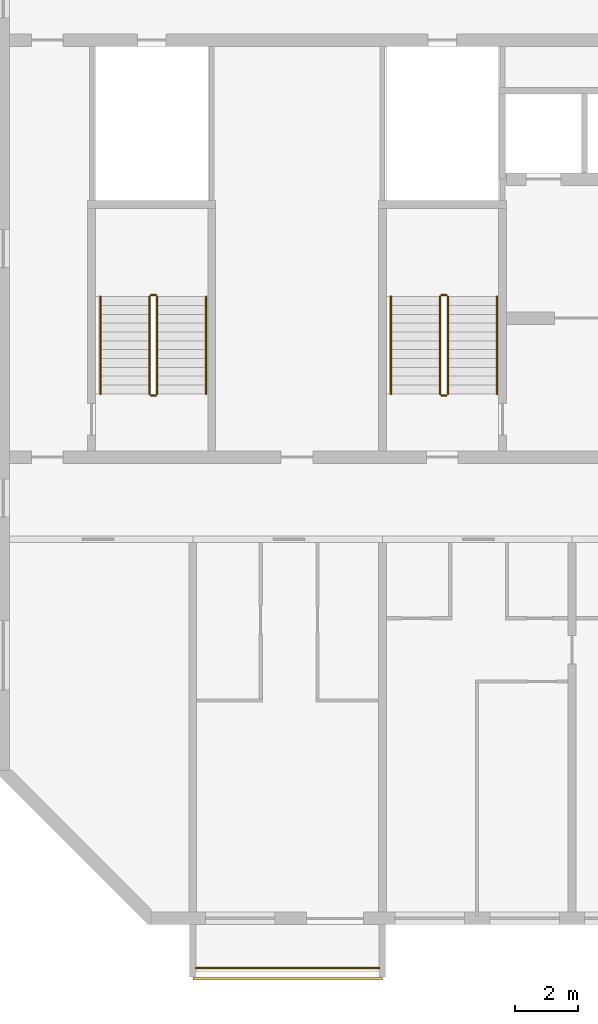
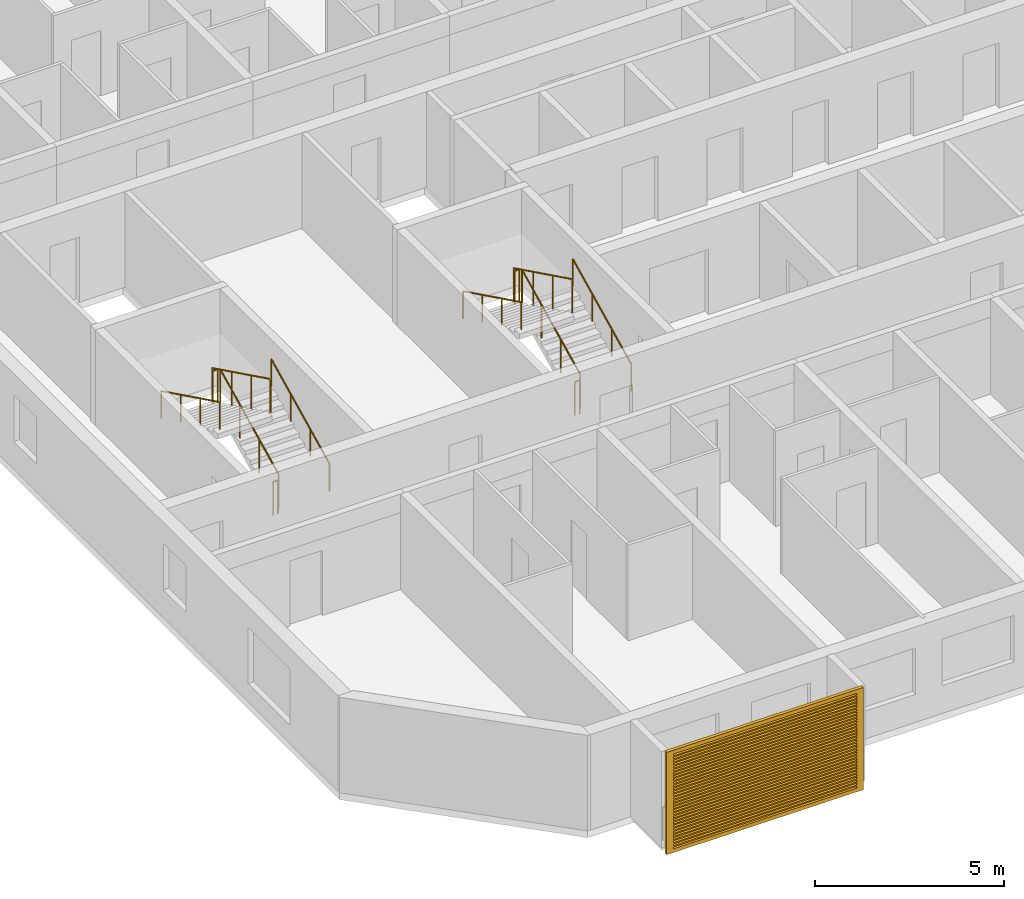
# One storey, part 13 of 28: 13 railings, 1 shading device.
"""IFC4 building model written with IfcOpenShell, lengths in metres."""

import ifcopenshell
import ifcopenshell.guid

model = None  # the IFC model being written
_history = None  # IfcOwnerHistory: only IFC2X3 demands one
_inside = {}  # id of a spatial element -> (the spatial element, [elements in it])
_under = {}  # id of a project, library or spatial element -> (it, [spatial elements below it])
_declared = {}  # id of a project -> (the project, [libraries it declares])
_typed = {}  # id of a type object -> (the type object, [elements of that type])
_made_of = {}  # id of a material, layer set ... -> (it, [elements and type objects made of it])


def new_model(schema):
    """Start an empty IFC model of exactly this schema.

    Asked for "IFC4X3", IfcOpenShell would pick the latest addendum, in which some entities
    have other attributes; the version numbers below select the first issue.
    IFC2X3 requires an IfcOwnerHistory on every rooted entity: one is made here for all.
    """
    global model, _history
    if schema == "IFC4X3":
        model = ifcopenshell.file(schema_version=(4, 3, 0, 0))
    else:
        model = ifcopenshell.file(schema=schema)
    _inside.clear()
    _under.clear()
    _declared.clear()
    _typed.clear()
    _made_of.clear()
    _history = None
    if model.schema == "IFC2X3":
        org = make("IfcOrganization", Name="unknown")
        user = make(
            "IfcPersonAndOrganization",
            ThePerson=make("IfcPerson", FamilyName="unknown"),
            TheOrganization=org,
        )
        app = make(
            "IfcApplication",
            ApplicationDeveloper=org,
            Version="unknown",
            ApplicationFullName="unknown",
            ApplicationIdentifier="unknown",
        )
        _history = make(
            "IfcOwnerHistory",
            OwningUser=user,
            OwningApplication=app,
            ChangeAction="ADDED",
            CreationDate=0,
        )
    return model


def make(cls, **values):
    """One entity of the class cls with the attributes given. An attribute that is None is left unset."""
    return model.create_entity(
        cls, **{name: value for name, value in values.items() if value is not None}
    )


def rooted(cls, **values):
    """An entity with a GlobalId (a new one), such as an element, a storey or a relation."""
    return make(cls, GlobalId=ifcopenshell.guid.new(), OwnerHistory=_history, **values)


def si_unit(unit_type, name, prefix=None):
    """IfcSIUnit, for example si_unit("LENGTHUNIT", "METRE", prefix="MILLI")."""
    return make("IfcSIUnit", UnitType=unit_type, Prefix=prefix, Name=name)


def assignment(units):
    """IfcUnitAssignment: the units of a project."""
    return None if units is None else make("IfcUnitAssignment", Units=units)


def point(xyz):
    """IfcCartesianPoint."""
    return None if xyz is None else make("IfcCartesianPoint", Coordinates=xyz)


def direction(xyz):
    """IfcDirection."""
    return None if xyz is None else make("IfcDirection", DirectionRatios=xyz)


def frame(location, z_axis=None, x_axis=None):
    """IfcAxis2Placement3D, a coordinate frame: its origin and axes. An axis left out is left unset."""
    return make(
        "IfcAxis2Placement3D",
        Location=point(location),
        Axis=direction(z_axis),
        RefDirection=direction(x_axis),
    )


def frame_2d(location, x_axis=None):
    """IfcAxis2Placement2D, a coordinate frame in the plane: its origin and x axis."""
    return make(
        "IfcAxis2Placement2D", Location=point(location), RefDirection=direction(x_axis)
    )


def origin():
    """The frame at (0, 0, 0) with its axes left unset."""
    return frame((0.0, 0.0, 0.0))


def origin_2d():
    """The frame at (0, 0) in the plane with its x axis left unset."""
    return frame_2d((0.0, 0.0))


def place(relative_to, where):
    """IfcLocalPlacement: puts the frame where relative to a parent placement (None: the world)."""
    return make(
        "IfcLocalPlacement", PlacementRelTo=relative_to, RelativePlacement=where
    )


def context(
    kind, dimensions, precision=None, world=None, true_north=None, identifier=None
):
    """IfcGeometricRepresentationContext, for example the 3D "Model" context."""
    return make(
        "IfcGeometricRepresentationContext",
        ContextIdentifier=identifier,
        ContextType=kind,
        CoordinateSpaceDimension=dimensions,
        Precision=precision,
        WorldCoordinateSystem=world,
        TrueNorth=true_north,
    )


def subcontext(parent, identifier, kind, view, scale=None):
    """IfcGeometricRepresentationSubContext, for example "Body" below "Model"."""
    return make(
        "IfcGeometricRepresentationSubContext",
        ContextIdentifier=identifier,
        ContextType=kind,
        ParentContext=parent,
        TargetScale=scale,
        TargetView=view,
    )


def project(units=None, contexts=None):
    """IfcProject with its units and contexts."""
    return rooted(
        "IfcProject",
        Name="project",
        RepresentationContexts=contexts,
        UnitsInContext=assignment(units),
    )


def spatial(cls, under=None, at=None, **own):
    """A site, building, storey or space (cls), placed at a placement, below another one or the project."""
    s = rooted(cls, ObjectPlacement=at, **own)
    if under is not None:
        _under.setdefault(under.id(), (under, []))[1].append(s)
    return s


def polyline(points):
    """IfcPolyline through the points."""
    return make("IfcPolyline", Points=[point(p) for p in points])


def profile(cls, at=None, kind="AREA", **sizes):
    """A parametric profile (cls). Its sizes go by their IFC names, for example OverallWidth=200.0."""
    return make(cls, ProfileType=kind, Position=at, **sizes)


def circle(**sizes):
    """IfcCircleProfileDef."""
    return profile("IfcCircleProfileDef", **sizes)


def outline(outer, holes=None, kind="AREA"):
    """IfcArbitraryClosedProfileDef: a profile drawn as a closed curve; with holes, ...WithVoids."""
    if holes is None:
        return make("IfcArbitraryClosedProfileDef", ProfileType=kind, OuterCurve=outer)
    return make(
        "IfcArbitraryProfileDefWithVoids",
        ProfileType=kind,
        OuterCurve=outer,
        InnerCurves=holes,
    )


def extrude(swept, where, along, depth):
    """IfcExtrudedAreaSolid: the profile swept, set in the frame where, extruded along a direction by depth."""
    return make(
        "IfcExtrudedAreaSolid",
        SweptArea=swept,
        Position=where,
        ExtrudedDirection=direction(along),
        Depth=depth,
    )


def shape(context_of_items, identifier, shape_type, items):
    """IfcShapeRepresentation: the items that make up one representation, for example the "Body"."""
    return make(
        "IfcShapeRepresentation",
        ContextOfItems=context_of_items,
        RepresentationIdentifier=identifier,
        RepresentationType=shape_type,
        Items=items,
    )


def source(mapping_origin, context_of_items, identifier, shape_type, items):
    """IfcRepresentationMap: a shape defined once, which mapped items show again and again."""
    return make(
        "IfcRepresentationMap",
        MappingOrigin=mapping_origin,
        MappedRepresentation=shape(context_of_items, identifier, shape_type, items),
    )


def transform(
    local_origin,
    x_axis=None,
    y_axis=None,
    z_axis=None,
    scale=None,
    scale2=None,
    scale3=None,
    uniform=True,
):
    """IfcCartesianTransformationOperator3D, or its non-uniform kind. x_axis, y_axis, z_axis: its Axis1, 2, 3."""
    if uniform:
        return make(
            "IfcCartesianTransformationOperator3D",
            Axis1=direction(x_axis),
            Axis2=direction(y_axis),
            LocalOrigin=point(local_origin),
            Scale=scale,
            Axis3=direction(z_axis),
        )
    return make(
        "IfcCartesianTransformationOperator3DnonUniform",
        Axis1=direction(x_axis),
        Axis2=direction(y_axis),
        LocalOrigin=point(local_origin),
        Scale=scale,
        Axis3=direction(z_axis),
        Scale2=scale2,
        Scale3=scale3,
    )


def mapped(mapping_source, mapping_target):
    """IfcMappedItem: shows the shape of a source again, moved by a transform."""
    return make(
        "IfcMappedItem", MappingSource=mapping_source, MappingTarget=mapping_target
    )


def material(Name=None, Category=None):
    """IfcMaterial."""
    return make("IfcMaterial", Name=Name, Category=Category)


def material_profile(
    of_material, cross_section, Name=None, Category=None, Priority=None
):
    """IfcMaterialProfile: a cross section and its material."""
    return make(
        "IfcMaterialProfile",
        Name=Name,
        Material=of_material,
        Profile=cross_section,
        Priority=Priority,
        Category=Category,
    )


def profile_set(profiles, Name=None, composite=None):
    """IfcMaterialProfileSet."""
    return make(
        "IfcMaterialProfileSet",
        Name=Name,
        MaterialProfiles=profiles,
        CompositeProfile=composite,
    )


def made_of(thing, what):
    """Note that an element or type object is made of a material, layer set ...; save() writes the relation."""
    if what is not None:
        _made_of.setdefault(what.id(), (what, []))[1].append(thing)
    return thing


def type_object(cls, material=None, **own):
    """A type object (cls), such as IfcWallType, which elements share."""
    return made_of(rooted(cls, **own), material)


def element(
    cls,
    number,
    at=None,
    inside=None,
    cuts=None,
    type_object=None,
    material=None,
    context=None,
    identifier="Body",
    shape_type=None,
    held_by="IfcProductDefinitionShape",
    body=None,
    shapes=None,
    **own,
):
    """One element of the class cls, such as IfcWall. Its Tag is "e" and its number.

    at: its placement. inside: the storey or other place that contains it. cuts: it is an
    opening in that element (IfcRelVoidsElement). A single representation is given by context,
    identifier, shape_type and body (its items); several are given by shapes. held_by: the class
    of the entity that holds the representations. save() writes the other relations.
    """
    e = rooted(cls, Tag="e%d" % number, ObjectPlacement=at, **own)
    if body is not None:
        shapes = [shape(context, identifier, shape_type, body)]
    if shapes is not None:
        e.Representation = make(held_by, Representations=shapes)
    if inside is not None:
        _inside.setdefault(inside.id(), (inside, []))[1].append(e)
    if cuts is not None:
        rooted(
            "IfcRelVoidsElement", RelatingBuildingElement=cuts, RelatedOpeningElement=e
        )
    if type_object is not None:
        _typed.setdefault(type_object.id(), (type_object, []))[1].append(e)
    return made_of(e, material)


def aggregate(whole, parts):
    """IfcRelAggregates: a whole, such as a stair, and the parts it consists of."""
    return rooted("IfcRelAggregates", RelatingObject=whole, RelatedObjects=parts)


def save(model, path):
    """Write the relations noted so far, then the file.

    IfcRelAggregates (storeys below a building ...), IfcRelContainedInSpatialStructure (elements
    in a storey), IfcRelDefinesByType, IfcRelAssociatesMaterial and IfcRelDeclares: one each for
    every whole, place, type object, material and project.
    """
    for whole, parts in _under.values():
        aggregate(whole, parts)
    for where, things in _inside.values():
        rooted(
            "IfcRelContainedInSpatialStructure",
            RelatedElements=things,
            RelatingStructure=where,
        )
    for kind, things in _typed.values():
        rooted("IfcRelDefinesByType", RelatedObjects=things, RelatingType=kind)
    for what, things in _made_of.values():
        rooted("IfcRelAssociatesMaterial", RelatedObjects=things, RelatingMaterial=what)
    for by, libraries in _declared.values():
        rooted("IfcRelDeclares", RelatingContext=by, RelatedDefinitions=libraries)
    model.write(path)


model = new_model("IFC4")

# Units and contexts
model_context = context("Model", 3, precision=1e-05, world=origin(), true_north=direction((0.0, 1.0)))
body_context = subcontext(model_context, "Body", "Model", "MODEL_VIEW")
ifc_project = project(units=[si_unit("LENGTHUNIT", "METRE"), si_unit("AREAUNIT", "SQUARE_METRE"), si_unit("VOLUMEUNIT", "CUBIC_METRE"), si_unit("PLANEANGLEUNIT", "RADIAN"), si_unit("MASSUNIT", "GRAM", prefix="KILO")], contexts=[model_context])

# Site, building, storey
site_placement = place(None, origin())
site = spatial("IfcSite", under=ifc_project, at=site_placement, CompositionType="ELEMENT")
building_placement = place(site_placement, origin())
building = spatial("IfcBuilding", under=site, at=building_placement, Name="Poui Terraces", CompositionType="ELEMENT")
storey_placement = place(building_placement, frame((0.0, 0.0, 188.39990234375)))
storey = spatial("IfcBuildingStorey", under=building, at=storey_placement, Name="L52", CompositionType="ELEMENT", Elevation=188.39990234375)

# Railings
ifc_material_1 = material(Name="Painted steel fretwork", Category="steel")
railing_type_1 = type_object("IfcRailingType", Name="BALCONY GUARD 1100", PredefinedType="GUARDRAIL", material=ifc_material_1)
railing_1_placement = place(storey_placement, frame((24.10009765625, -1.570068359375, 0.0)))
element("IfcRailing", 1, at=railing_1_placement, inside=storey, type_object=railing_type_1, Name="BALCONY GUARD", PredefinedType="GUARDRAIL", context=body_context, shape_type="SweptSolid", body=[
    extrude(circle(Radius=0.02392578125, at=origin_2d()), frame((0.0, 0.0, 1.076171875), z_axis=(1.0, 0.0, 0.0), x_axis=(0.0, 1.0, 0.0)), (0.0, 0.0, 1.0), 5.7998046875),
    extrude(circle(Radius=0.02099609375, at=origin_2d()), origin(), (0.0, 0.0, 1.0), 1.052001953125),
    extrude(circle(Radius=0.02099609375, at=origin_2d()), frame((0.966552734375, 0.0, 0.0)), (0.0, 0.0, 1.0), 1.052001953125),
    extrude(circle(Radius=0.02099609375, at=origin_2d()), frame((1.933349609375, 0.0, 0.0)), (0.0, 0.0, 1.0), 1.052001953125),
    extrude(circle(Radius=0.02099609375, at=origin_2d()), frame((2.89990234375, 0.0, 0.0)), (0.0, 0.0, 1.0), 1.052001953125),
    extrude(circle(Radius=0.02099609375, at=origin_2d()), frame((3.866455078125, 0.0, 0.0)), (0.0, 0.0, 1.0), 1.052001953125),
    extrude(circle(Radius=0.02099609375, at=origin_2d()), frame((4.833251953125, 0.0, 0.0)), (0.0, 0.0, 1.0), 1.052001953125),
    extrude(circle(Radius=0.02099609375, at=origin_2d()), frame((5.7998046875, 0.0, 0.0)), (0.0, 0.0, 1.0), 1.052001953125),
])
ifc_material_2 = material(Name="Galvanised steel balustrade", Category="steel")
railing_type_2 = type_object("IfcRailingType", Name="STAIR GUARD 1100", PredefinedType="GUARDRAIL", material=ifc_material_2)
railing_2_placement = place(storey_placement, frame((32.074951171875, 16.60009765625, 0.1376953125)))
element("IfcRailing", 2, at=railing_2_placement, inside=storey, type_object=railing_type_2, Name="L52 ST-CW stair guard 1", PredefinedType="GUARDRAIL", context=body_context, shape_type="SweptSolid", body=[
    extrude(circle(Radius=0.02392578125, at=origin_2d()), frame((0.0, 0.0, 1.076171875), z_axis=(0.0, 0.897606190399, 0.440798283751), x_axis=(-1.0, 0.0, 0.0)), (0.0, 0.0, 1.0), 3.43115234375),
    extrude(circle(Radius=0.02099609375, at=origin_2d()), origin(), (0.0, 0.0, 1.0), 1.052001953125),
    extrude(circle(Radius=0.02099609375, at=origin_2d()), frame((0.0, 1.026611328125, 0.504150390625)), (0.0, 0.0, 1.0), 1.052001953125),
    extrude(circle(Radius=0.02099609375, at=origin_2d()), frame((0.0, 2.05322265625, 1.00830078125)), (0.0, 0.0, 1.0), 1.052001953125),
    extrude(circle(Radius=0.02099609375, at=origin_2d()), frame((0.0, 3.079833984375, 1.512451171875)), (0.0, 0.0, 1.0), 1.052001953125),
])
railing_3_placement = place(storey_placement, frame((32.02490234375, 19.72998046875, 1.650146484375)))
element("IfcRailing", 3, at=railing_3_placement, inside=storey, type_object=railing_type_2, Name="L52 ST-CW stair guard 2", PredefinedType="GUARDRAIL", context=body_context, shape_type="SweptSolid", body=[
    extrude(circle(Radius=0.02392578125, at=origin_2d()), frame((0.0, 0.0, 1.076171875), z_axis=(-1.0, 0.0, 0.0), x_axis=(0.0, -1.0, 0.0)), (0.0, 0.0, 1.0), 0.14990234375),
    extrude(circle(Radius=0.02099609375, at=origin_2d()), origin(), (0.0, 0.0, 1.0), 1.052001953125),
    extrude(circle(Radius=0.02099609375, at=origin_2d()), frame((-0.14990234375, 0.0, 0.0)), (0.0, 0.0, 1.0), 1.052001953125),
])
railing_4_placement = place(storey_placement, frame((31.824951171875, 19.679931640625, 1.78759765625)))
element("IfcRailing", 4, at=railing_4_placement, inside=storey, type_object=railing_type_2, Name="L52 ST-CW stair guard 3", PredefinedType="GUARDRAIL", context=body_context, shape_type="SweptSolid", body=[
    extrude(circle(Radius=0.02392578125, at=origin_2d()), frame((0.0, 0.0, 1.076171875), z_axis=(0.0, -0.897606190399, 0.440798283751), x_axis=(1.0, 0.0, 0.0)), (0.0, 0.0, 1.0), 3.43115234375),
    extrude(circle(Radius=0.02099609375, at=origin_2d()), origin(), (0.0, 0.0, 1.0), 1.052001953125),
    extrude(circle(Radius=0.02099609375, at=origin_2d()), frame((0.0, -1.026611328125, 0.504150390625)), (0.0, 0.0, 1.0), 1.052001953125),
    extrude(circle(Radius=0.02099609375, at=origin_2d()), frame((0.0, -2.05322265625, 1.00830078125)), (0.0, 0.0, 1.0), 1.052001953125),
    extrude(circle(Radius=0.02099609375, at=origin_2d()), frame((0.0, -3.079833984375, 1.512451171875)), (0.0, 0.0, 1.0), 1.052001953125),
])
railing_5_placement = place(storey_placement, frame((32.02490234375, 16.550048828125, 0.0)))
element("IfcRailing", 5, at=railing_5_placement, inside=storey, type_object=railing_type_2, Name="L52 ST-CW stair guard 4", PredefinedType="GUARDRAIL", context=body_context, shape_type="SweptSolid", body=[
    extrude(circle(Radius=0.02392578125, at=origin_2d()), frame((0.0, 0.0, 1.076171875), z_axis=(-1.0, 0.0, 0.0), x_axis=(0.0, -1.0, 0.0)), (0.0, 0.0, 1.0), 0.14990234375),
    extrude(circle(Radius=0.02099609375, at=origin_2d()), origin(), (0.0, 0.0, 1.0), 1.052001953125),
    extrude(circle(Radius=0.02099609375, at=origin_2d()), frame((-0.14990234375, 0.0, 0.0)), (0.0, 0.0, 1.0), 1.052001953125),
])
railing_6_placement = place(storey_placement, frame((22.875, 16.60009765625, 0.1376953125)))
element("IfcRailing", 6, at=railing_6_placement, inside=storey, type_object=railing_type_2, Name="L52 ST-W stair guard 1", PredefinedType="GUARDRAIL", context=body_context, shape_type="SweptSolid", body=[
    extrude(circle(Radius=0.02392578125, at=origin_2d()), frame((0.0, 0.0, 1.076171875), z_axis=(0.0, 0.897606190399, 0.440798283751), x_axis=(-1.0, 0.0, 0.0)), (0.0, 0.0, 1.0), 3.43115234375),
    extrude(circle(Radius=0.02099609375, at=origin_2d()), origin(), (0.0, 0.0, 1.0), 1.052001953125),
    extrude(circle(Radius=0.02099609375, at=origin_2d()), frame((0.0, 1.026611328125, 0.504150390625)), (0.0, 0.0, 1.0), 1.052001953125),
    extrude(circle(Radius=0.02099609375, at=origin_2d()), frame((0.0, 2.05322265625, 1.00830078125)), (0.0, 0.0, 1.0), 1.052001953125),
    extrude(circle(Radius=0.02099609375, at=origin_2d()), frame((0.0, 3.079833984375, 1.512451171875)), (0.0, 0.0, 1.0), 1.052001953125),
])
railing_7_placement = place(storey_placement, frame((22.824951171875, 19.72998046875, 1.650146484375)))
element("IfcRailing", 7, at=railing_7_placement, inside=storey, type_object=railing_type_2, Name="L52 ST-W stair guard 2", PredefinedType="GUARDRAIL", context=body_context, shape_type="SweptSolid", body=[
    extrude(circle(Radius=0.02392578125, at=origin_2d()), frame((0.0, 0.0, 1.076171875), z_axis=(-1.0, 0.0, 0.0), x_axis=(0.0, -1.0, 0.0)), (0.0, 0.0, 1.0), 0.14990234375),
    extrude(circle(Radius=0.02099609375, at=origin_2d()), origin(), (0.0, 0.0, 1.0), 1.052001953125),
    extrude(circle(Radius=0.02099609375, at=origin_2d()), frame((-0.14990234375, 0.0, 0.0)), (0.0, 0.0, 1.0), 1.052001953125),
])
railing_8_placement = place(storey_placement, frame((22.625, 19.679931640625, 1.78759765625)))
element("IfcRailing", 8, at=railing_8_placement, inside=storey, type_object=railing_type_2, Name="L52 ST-W stair guard 3", PredefinedType="GUARDRAIL", context=body_context, shape_type="SweptSolid", body=[
    extrude(circle(Radius=0.02392578125, at=origin_2d()), frame((0.0, 0.0, 1.076171875), z_axis=(0.0, -0.897606190399, 0.440798283751), x_axis=(1.0, 0.0, 0.0)), (0.0, 0.0, 1.0), 3.43115234375),
    extrude(circle(Radius=0.02099609375, at=origin_2d()), origin(), (0.0, 0.0, 1.0), 1.052001953125),
    extrude(circle(Radius=0.02099609375, at=origin_2d()), frame((0.0, -1.026611328125, 0.504150390625)), (0.0, 0.0, 1.0), 1.052001953125),
    extrude(circle(Radius=0.02099609375, at=origin_2d()), frame((0.0, -2.05322265625, 1.00830078125)), (0.0, 0.0, 1.0), 1.052001953125),
    extrude(circle(Radius=0.02099609375, at=origin_2d()), frame((0.0, -3.079833984375, 1.512451171875)), (0.0, 0.0, 1.0), 1.052001953125),
])
railing_9_placement = place(storey_placement, frame((22.824951171875, 16.550048828125, 0.0)))
element("IfcRailing", 9, at=railing_9_placement, inside=storey, type_object=railing_type_2, Name="L52 ST-W stair guard 4", PredefinedType="GUARDRAIL", context=body_context, shape_type="SweptSolid", body=[
    extrude(circle(Radius=0.02392578125, at=origin_2d()), frame((0.0, 0.0, 1.076171875), z_axis=(-1.0, 0.0, 0.0), x_axis=(0.0, -1.0, 0.0)), (0.0, 0.0, 1.0), 0.14990234375),
    extrude(circle(Radius=0.02099609375, at=origin_2d()), origin(), (0.0, 0.0, 1.0), 1.052001953125),
    extrude(circle(Radius=0.02099609375, at=origin_2d()), frame((-0.14990234375, 0.0, 0.0)), (0.0, 0.0, 1.0), 1.052001953125),
])
ifc_material_3 = material(Name="Stainless steel handrail", Category="steel")
railing_type_3 = type_object("IfcRailingType", Name="STAIR HANDRAIL 900", PredefinedType="HANDRAIL", material=ifc_material_3)
railing_10_placement = place(storey_placement, frame((33.625, 16.60009765625, 0.1376953125)))
element("IfcRailing", 10, at=railing_10_placement, inside=storey, type_object=railing_type_3, Name="L52 ST-CW stair handrail 1", PredefinedType="HANDRAIL", context=body_context, shape_type="SweptSolid", body=[
    extrude(circle(Radius=0.02392578125, at=origin_2d()), frame((0.0, 0.0, 0.8759765625), z_axis=(0.0, 0.897606190399, 0.440798283751), x_axis=(-1.0, 0.0, 0.0)), (0.0, 0.0, 1.0), 3.43115234375),
    extrude(circle(Radius=0.02099609375, at=origin_2d()), origin(), (0.0, 0.0, 1.0), 0.851806640625),
    extrude(circle(Radius=0.02099609375, at=origin_2d()), frame((0.0, 1.026611328125, 0.504150390625)), (0.0, 0.0, 1.0), 0.851806640625),
    extrude(circle(Radius=0.02099609375, at=origin_2d()), frame((0.0, 2.05322265625, 1.00830078125)), (0.0, 0.0, 1.0), 0.851806640625),
    extrude(circle(Radius=0.02099609375, at=origin_2d()), frame((0.0, 3.079833984375, 1.512451171875)), (0.0, 0.0, 1.0), 0.851806640625),
])
railing_11_placement = place(storey_placement, frame((30.27490234375, 19.679931640625, 1.78759765625)))
element("IfcRailing", 11, at=railing_11_placement, inside=storey, type_object=railing_type_3, Name="L52 ST-CW stair handrail 2", PredefinedType="HANDRAIL", context=body_context, shape_type="SweptSolid", body=[
    extrude(circle(Radius=0.02392578125, at=origin_2d()), frame((0.0, 0.0, 0.8759765625), z_axis=(0.0, -0.897606190399, 0.440798283751), x_axis=(1.0, 0.0, 0.0)), (0.0, 0.0, 1.0), 3.43115234375),
    extrude(circle(Radius=0.02099609375, at=origin_2d()), origin(), (0.0, 0.0, 1.0), 0.851806640625),
    extrude(circle(Radius=0.02099609375, at=origin_2d()), frame((0.0, -1.026611328125, 0.504150390625)), (0.0, 0.0, 1.0), 0.851806640625),
    extrude(circle(Radius=0.02099609375, at=origin_2d()), frame((0.0, -2.05322265625, 1.00830078125)), (0.0, 0.0, 1.0), 0.851806640625),
    extrude(circle(Radius=0.02099609375, at=origin_2d()), frame((0.0, -3.079833984375, 1.512451171875)), (0.0, 0.0, 1.0), 0.851806640625),
])
railing_12_placement = place(storey_placement, frame((24.425048828125, 16.60009765625, 0.1376953125)))
element("IfcRailing", 12, at=railing_12_placement, inside=storey, type_object=railing_type_3, Name="L52 ST-W stair handrail 1", PredefinedType="HANDRAIL", context=body_context, shape_type="SweptSolid", body=[
    extrude(circle(Radius=0.02392578125, at=origin_2d()), frame((0.0, 0.0, 0.8759765625), z_axis=(0.0, 0.897606190399, 0.440798283751), x_axis=(-1.0, 0.0, 0.0)), (0.0, 0.0, 1.0), 3.43115234375),
    extrude(circle(Radius=0.02099609375, at=origin_2d()), origin(), (0.0, 0.0, 1.0), 0.851806640625),
    extrude(circle(Radius=0.02099609375, at=origin_2d()), frame((0.0, 1.026611328125, 0.504150390625)), (0.0, 0.0, 1.0), 0.851806640625),
    extrude(circle(Radius=0.02099609375, at=origin_2d()), frame((0.0, 2.05322265625, 1.00830078125)), (0.0, 0.0, 1.0), 0.851806640625),
    extrude(circle(Radius=0.02099609375, at=origin_2d()), frame((0.0, 3.079833984375, 1.512451171875)), (0.0, 0.0, 1.0), 0.851806640625),
])
railing_13_placement = place(storey_placement, frame((21.074951171875, 19.679931640625, 1.78759765625)))
element("IfcRailing", 13, at=railing_13_placement, inside=storey, type_object=railing_type_3, Name="L52 ST-W stair handrail 2", PredefinedType="HANDRAIL", context=body_context, shape_type="SweptSolid", body=[
    extrude(circle(Radius=0.02392578125, at=origin_2d()), frame((0.0, 0.0, 0.8759765625), z_axis=(0.0, -0.897606190399, 0.440798283751), x_axis=(1.0, 0.0, 0.0)), (0.0, 0.0, 1.0), 3.43115234375),
    extrude(circle(Radius=0.02099609375, at=origin_2d()), origin(), (0.0, 0.0, 1.0), 0.851806640625),
    extrude(circle(Radius=0.02099609375, at=origin_2d()), frame((0.0, -1.026611328125, 0.504150390625)), (0.0, 0.0, 1.0), 0.851806640625),
    extrude(circle(Radius=0.02099609375, at=origin_2d()), frame((0.0, -2.05322265625, 1.00830078125)), (0.0, 0.0, 1.0), 0.851806640625),
    extrude(circle(Radius=0.02099609375, at=origin_2d()), frame((0.0, -3.079833984375, 1.512451171875)), (0.0, 0.0, 1.0), 0.851806640625),
])

# Shading device
ifc_material_4 = material(Name="Aluminium louvre", Category="aluminium")
ifc_material_profile = material_profile(ifc_material_4, outline(polyline([(-3.0, -1.64990234375), (3.0, -1.64990234375), (3.0, 1.64990234375), (-3.0, 1.64990234375), (-3.0, -1.64990234375)]), holes=[polyline([(-2.800048828125, -1.530029296875), (2.800048828125, -1.530029296875), (2.800048828125, -1.469970703125), (-2.800048828125, -1.469970703125), (-2.800048828125, -1.530029296875)]), polyline([(-2.800048828125, -1.429931640625), (2.800048828125, -1.429931640625), (2.800048828125, -1.3701171875), (-2.800048828125, -1.3701171875), (-2.800048828125, -1.429931640625)]), polyline([(-2.800048828125, -1.330078125), (2.800048828125, -1.330078125), (2.800048828125, -1.27001953125), (-2.800048828125, -1.27001953125), (-2.800048828125, -1.330078125)]), polyline([(-2.800048828125, -1.22998046875), (2.800048828125, -1.22998046875), (2.800048828125, -1.169921875), (-2.800048828125, -1.169921875), (-2.800048828125, -1.22998046875)]), polyline([(-2.800048828125, -1.1298828125), (2.800048828125, -1.1298828125), (2.800048828125, -1.070068359375), (-2.800048828125, -1.070068359375), (-2.800048828125, -1.1298828125)]), polyline([(-2.800048828125, -1.030029296875), (2.800048828125, -1.030029296875), (2.800048828125, -0.969970703125), (-2.800048828125, -0.969970703125), (-2.800048828125, -1.030029296875)]), polyline([(-2.800048828125, -0.929931640625), (2.800048828125, -0.929931640625), (2.800048828125, -0.8701171875), (-2.800048828125, -0.8701171875), (-2.800048828125, -0.929931640625)]), polyline([(-2.800048828125, -0.830078125), (2.800048828125, -0.830078125), (2.800048828125, -0.77001953125), (-2.800048828125, -0.77001953125), (-2.800048828125, -0.830078125)]), polyline([(-2.800048828125, -0.72998046875), (2.800048828125, -0.72998046875), (2.800048828125, -0.669921875), (-2.800048828125, -0.669921875), (-2.800048828125, -0.72998046875)]), polyline([(-2.800048828125, -0.6298828125), (2.800048828125, -0.6298828125), (2.800048828125, -0.570068359375), (-2.800048828125, -0.570068359375), (-2.800048828125, -0.6298828125)]), polyline([(-2.800048828125, -0.530029296875), (2.800048828125, -0.530029296875), (2.800048828125, -0.469970703125), (-2.800048828125, -0.469970703125), (-2.800048828125, -0.530029296875)]), polyline([(-2.800048828125, -0.429931640625), (2.800048828125, -0.429931640625), (2.800048828125, -0.3701171875), (-2.800048828125, -0.3701171875), (-2.800048828125, -0.429931640625)]), polyline([(-2.800048828125, -0.330078125), (2.800048828125, -0.330078125), (2.800048828125, -0.27001953125), (-2.800048828125, -0.27001953125), (-2.800048828125, -0.330078125)]), polyline([(-2.800048828125, -0.22998046875), (2.800048828125, -0.22998046875), (2.800048828125, -0.169921875), (-2.800048828125, -0.169921875), (-2.800048828125, -0.22998046875)]), polyline([(-2.800048828125, -0.1298828125), (2.800048828125, -0.1298828125), (2.800048828125, -0.070068359375), (-2.800048828125, -0.070068359375), (-2.800048828125, -0.1298828125)]), polyline([(-2.800048828125, -0.030029296875), (2.800048828125, -0.030029296875), (2.800048828125, 0.030029296875), (-2.800048828125, 0.030029296875), (-2.800048828125, -0.030029296875)]), polyline([(-2.800048828125, 0.070068359375), (2.800048828125, 0.070068359375), (2.800048828125, 0.1298828125), (-2.800048828125, 0.1298828125), (-2.800048828125, 0.070068359375)]), polyline([(-2.800048828125, 0.169921875), (2.800048828125, 0.169921875), (2.800048828125, 0.22998046875), (-2.800048828125, 0.22998046875), (-2.800048828125, 0.169921875)]), polyline([(-2.800048828125, 0.27001953125), (2.800048828125, 0.27001953125), (2.800048828125, 0.330078125), (-2.800048828125, 0.330078125), (-2.800048828125, 0.27001953125)]), polyline([(-2.800048828125, 0.3701171875), (2.800048828125, 0.3701171875), (2.800048828125, 0.429931640625), (-2.800048828125, 0.429931640625), (-2.800048828125, 0.3701171875)]), polyline([(-2.800048828125, 0.469970703125), (2.800048828125, 0.469970703125), (2.800048828125, 0.530029296875), (-2.800048828125, 0.530029296875), (-2.800048828125, 0.469970703125)]), polyline([(-2.800048828125, 0.570068359375), (2.800048828125, 0.570068359375), (2.800048828125, 0.6298828125), (-2.800048828125, 0.6298828125), (-2.800048828125, 0.570068359375)]), polyline([(-2.800048828125, 0.669921875), (2.800048828125, 0.669921875), (2.800048828125, 0.72998046875), (-2.800048828125, 0.72998046875), (-2.800048828125, 0.669921875)]), polyline([(-2.800048828125, 0.77001953125), (2.800048828125, 0.77001953125), (2.800048828125, 0.830078125), (-2.800048828125, 0.830078125), (-2.800048828125, 0.77001953125)]), polyline([(-2.800048828125, 0.8701171875), (2.800048828125, 0.8701171875), (2.800048828125, 0.929931640625), (-2.800048828125, 0.929931640625), (-2.800048828125, 0.8701171875)]), polyline([(-2.800048828125, 0.969970703125), (2.800048828125, 0.969970703125), (2.800048828125, 1.030029296875), (-2.800048828125, 1.030029296875), (-2.800048828125, 0.969970703125)]), polyline([(-2.800048828125, 1.070068359375), (2.800048828125, 1.070068359375), (2.800048828125, 1.1298828125), (-2.800048828125, 1.1298828125), (-2.800048828125, 1.070068359375)]), polyline([(-2.800048828125, 1.169921875), (2.800048828125, 1.169921875), (2.800048828125, 1.22998046875), (-2.800048828125, 1.22998046875), (-2.800048828125, 1.169921875)]), polyline([(-2.800048828125, 1.27001953125), (2.800048828125, 1.27001953125), (2.800048828125, 1.330078125), (-2.800048828125, 1.330078125), (-2.800048828125, 1.27001953125)]), polyline([(-2.800048828125, 1.3701171875), (2.800048828125, 1.3701171875), (2.800048828125, 1.429931640625), (-2.800048828125, 1.429931640625), (-2.800048828125, 1.3701171875)]), polyline([(-2.800048828125, 1.469970703125), (2.800048828125, 1.469970703125), (2.800048828125, 1.530029296875), (-2.800048828125, 1.530029296875), (-2.800048828125, 1.469970703125)])]), Name="JALOUSIE LOUVRE SHUTTER 6000X3300")
ifc_profile_set = profile_set([ifc_material_profile], Name="Aluminium louvre")
shading_device_type = type_object("IfcShadingDeviceType", Name="JALOUSIE LOUVRE SHUTTER 6000X3300", PredefinedType="JALOUSIE", material=ifc_profile_set)
shared_shape = source(origin(), body_context, "Body", "SweptSolid", [
    extrude(outline(polyline([(-3.0, -1.64990234375), (3.0, -1.64990234375), (3.0, 1.64990234375), (-3.0, 1.64990234375), (-3.0, -1.64990234375)]), holes=[polyline([(-2.800048828125, -1.530029296875), (2.800048828125, -1.530029296875), (2.800048828125, -1.469970703125), (-2.800048828125, -1.469970703125), (-2.800048828125, -1.530029296875)]), polyline([(-2.800048828125, -1.429931640625), (2.800048828125, -1.429931640625), (2.800048828125, -1.3701171875), (-2.800048828125, -1.3701171875), (-2.800048828125, -1.429931640625)]), polyline([(-2.800048828125, -1.330078125), (2.800048828125, -1.330078125), (2.800048828125, -1.27001953125), (-2.800048828125, -1.27001953125), (-2.800048828125, -1.330078125)]), polyline([(-2.800048828125, -1.22998046875), (2.800048828125, -1.22998046875), (2.800048828125, -1.169921875), (-2.800048828125, -1.169921875), (-2.800048828125, -1.22998046875)]), polyline([(-2.800048828125, -1.1298828125), (2.800048828125, -1.1298828125), (2.800048828125, -1.070068359375), (-2.800048828125, -1.070068359375), (-2.800048828125, -1.1298828125)]), polyline([(-2.800048828125, -1.030029296875), (2.800048828125, -1.030029296875), (2.800048828125, -0.969970703125), (-2.800048828125, -0.969970703125), (-2.800048828125, -1.030029296875)]), polyline([(-2.800048828125, -0.929931640625), (2.800048828125, -0.929931640625), (2.800048828125, -0.8701171875), (-2.800048828125, -0.8701171875), (-2.800048828125, -0.929931640625)]), polyline([(-2.800048828125, -0.830078125), (2.800048828125, -0.830078125), (2.800048828125, -0.77001953125), (-2.800048828125, -0.77001953125), (-2.800048828125, -0.830078125)]), polyline([(-2.800048828125, -0.72998046875), (2.800048828125, -0.72998046875), (2.800048828125, -0.669921875), (-2.800048828125, -0.669921875), (-2.800048828125, -0.72998046875)]), polyline([(-2.800048828125, -0.6298828125), (2.800048828125, -0.6298828125), (2.800048828125, -0.570068359375), (-2.800048828125, -0.570068359375), (-2.800048828125, -0.6298828125)]), polyline([(-2.800048828125, -0.530029296875), (2.800048828125, -0.530029296875), (2.800048828125, -0.469970703125), (-2.800048828125, -0.469970703125), (-2.800048828125, -0.530029296875)]), polyline([(-2.800048828125, -0.429931640625), (2.800048828125, -0.429931640625), (2.800048828125, -0.3701171875), (-2.800048828125, -0.3701171875), (-2.800048828125, -0.429931640625)]), polyline([(-2.800048828125, -0.330078125), (2.800048828125, -0.330078125), (2.800048828125, -0.27001953125), (-2.800048828125, -0.27001953125), (-2.800048828125, -0.330078125)]), polyline([(-2.800048828125, -0.22998046875), (2.800048828125, -0.22998046875), (2.800048828125, -0.169921875), (-2.800048828125, -0.169921875), (-2.800048828125, -0.22998046875)]), polyline([(-2.800048828125, -0.1298828125), (2.800048828125, -0.1298828125), (2.800048828125, -0.070068359375), (-2.800048828125, -0.070068359375), (-2.800048828125, -0.1298828125)]), polyline([(-2.800048828125, -0.030029296875), (2.800048828125, -0.030029296875), (2.800048828125, 0.030029296875), (-2.800048828125, 0.030029296875), (-2.800048828125, -0.030029296875)]), polyline([(-2.800048828125, 0.070068359375), (2.800048828125, 0.070068359375), (2.800048828125, 0.1298828125), (-2.800048828125, 0.1298828125), (-2.800048828125, 0.070068359375)]), polyline([(-2.800048828125, 0.169921875), (2.800048828125, 0.169921875), (2.800048828125, 0.22998046875), (-2.800048828125, 0.22998046875), (-2.800048828125, 0.169921875)]), polyline([(-2.800048828125, 0.27001953125), (2.800048828125, 0.27001953125), (2.800048828125, 0.330078125), (-2.800048828125, 0.330078125), (-2.800048828125, 0.27001953125)]), polyline([(-2.800048828125, 0.3701171875), (2.800048828125, 0.3701171875), (2.800048828125, 0.429931640625), (-2.800048828125, 0.429931640625), (-2.800048828125, 0.3701171875)]), polyline([(-2.800048828125, 0.469970703125), (2.800048828125, 0.469970703125), (2.800048828125, 0.530029296875), (-2.800048828125, 0.530029296875), (-2.800048828125, 0.469970703125)]), polyline([(-2.800048828125, 0.570068359375), (2.800048828125, 0.570068359375), (2.800048828125, 0.6298828125), (-2.800048828125, 0.6298828125), (-2.800048828125, 0.570068359375)]), polyline([(-2.800048828125, 0.669921875), (2.800048828125, 0.669921875), (2.800048828125, 0.72998046875), (-2.800048828125, 0.72998046875), (-2.800048828125, 0.669921875)]), polyline([(-2.800048828125, 0.77001953125), (2.800048828125, 0.77001953125), (2.800048828125, 0.830078125), (-2.800048828125, 0.830078125), (-2.800048828125, 0.77001953125)]), polyline([(-2.800048828125, 0.8701171875), (2.800048828125, 0.8701171875), (2.800048828125, 0.929931640625), (-2.800048828125, 0.929931640625), (-2.800048828125, 0.8701171875)]), polyline([(-2.800048828125, 0.969970703125), (2.800048828125, 0.969970703125), (2.800048828125, 1.030029296875), (-2.800048828125, 1.030029296875), (-2.800048828125, 0.969970703125)]), polyline([(-2.800048828125, 1.070068359375), (2.800048828125, 1.070068359375), (2.800048828125, 1.1298828125), (-2.800048828125, 1.1298828125), (-2.800048828125, 1.070068359375)]), polyline([(-2.800048828125, 1.169921875), (2.800048828125, 1.169921875), (2.800048828125, 1.22998046875), (-2.800048828125, 1.22998046875), (-2.800048828125, 1.169921875)]), polyline([(-2.800048828125, 1.27001953125), (2.800048828125, 1.27001953125), (2.800048828125, 1.330078125), (-2.800048828125, 1.330078125), (-2.800048828125, 1.27001953125)]), polyline([(-2.800048828125, 1.3701171875), (2.800048828125, 1.3701171875), (2.800048828125, 1.429931640625), (-2.800048828125, 1.429931640625), (-2.800048828125, 1.3701171875)]), polyline([(-2.800048828125, 1.469970703125), (2.800048828125, 1.469970703125), (2.800048828125, 1.530029296875), (-2.800048828125, 1.530029296875), (-2.800048828125, 1.469970703125)])]), origin(), (0.0, 0.0, 1.0), 0.099853515625),
])
shading_device_placement = place(storey_placement, frame((27.0, -1.85009765625, 1.4501953125), z_axis=(0.0, -1.0, 0.0), x_axis=(1.0, 0.0, 0.0)))
element("IfcShadingDevice", 14, at=shading_device_placement, inside=storey, type_object=shading_device_type, Name="JALOUSIE LOUVRE SHUTTER", PredefinedType="JALOUSIE", context=body_context, shape_type="MappedRepresentation", body=[
    mapped(shared_shape, transform((0.0, 0.0, 0.0))),
])

save(model, "model.ifc")
